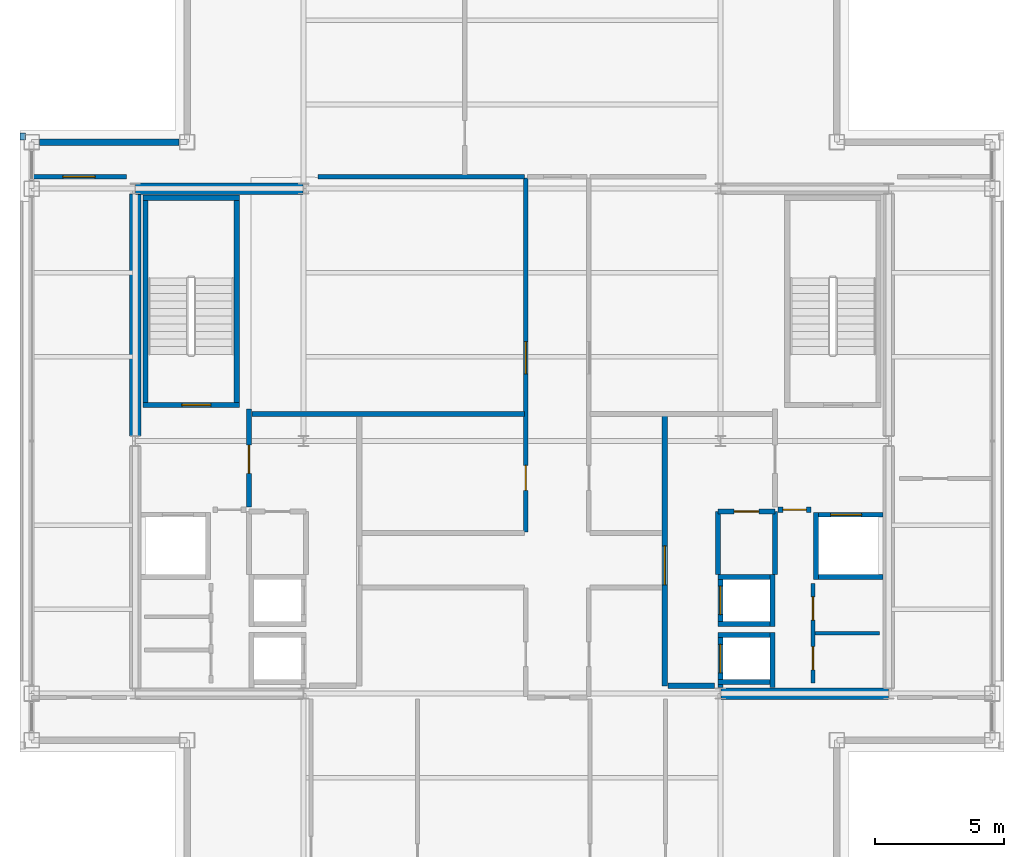
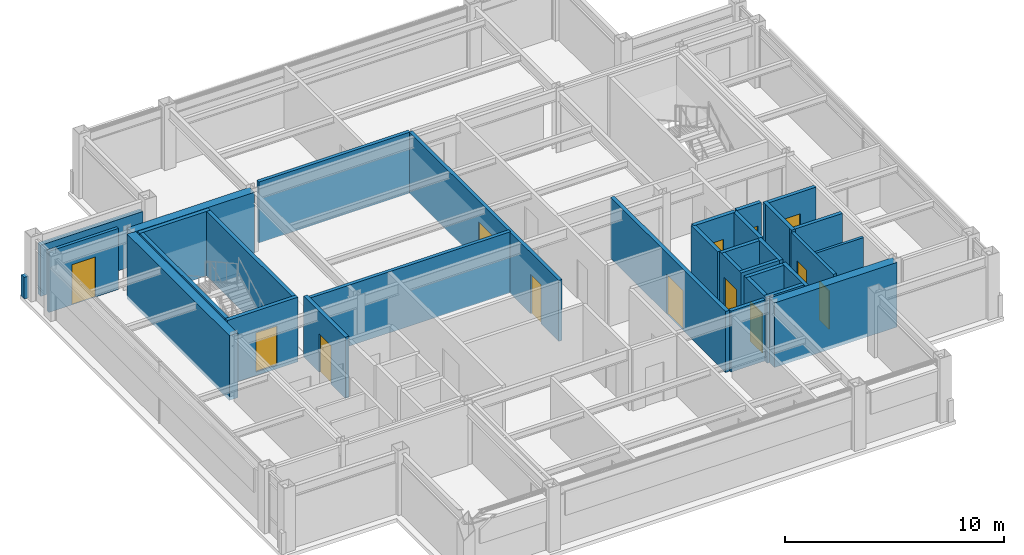
# One storey, part 18 of 20: 33 walls, 13 doors, 13 openings.
"""IFC4 building model written with IfcOpenShell, lengths in metres."""

from ifc_helpers import new_model, si_unit, direction, frame, frame_2d, origin, place, context, subcontext, project, spatial, rectangle, extrude, material, layer, layer_set, type_object, element, fill, save


model = new_model("IFC4")

# Units and contexts
model_context = context("Model", 3, precision=1e-05, world=origin(), true_north=direction((0.0, 1.0)))
body_context = subcontext(model_context, "Body", "Model", "MODEL_VIEW")
ifc_project = project(units=[si_unit("LENGTHUNIT", "METRE"), si_unit("AREAUNIT", "SQUARE_METRE"), si_unit("VOLUMEUNIT", "CUBIC_METRE"), si_unit("PLANEANGLEUNIT", "RADIAN"), si_unit("MASSUNIT", "GRAM", prefix="KILO")], contexts=[model_context])

# Site, building, storey
site_placement = place(None, origin())
site = spatial("IfcSite", under=ifc_project, at=site_placement, CompositionType="ELEMENT")
building_placement = place(site_placement, origin())
building = spatial("IfcBuilding", under=site, at=building_placement, Name="Brelmoor Portico Tower", CompositionType="ELEMENT")
storey_placement = place(building_placement, frame((0.0, 0.0, 272.39990234375)))
storey = spatial("IfcBuildingStorey", under=building, at=storey_placement, Name="L72", CompositionType="ELEMENT", Elevation=272.39990234375)

# Walls
ifc_material_1 = material(Name="Concrete C50", Category="concrete")
ifc_layer_1 = layer(ifc_material_1, 0.449951171875)
ifc_layer_set_1 = layer_set([ifc_layer_1], Name="Concrete C50")
wall_type_1 = type_object("IfcWallType", Name="WL-CORE-450", PredefinedType="SHEAR", material=ifc_layer_set_1)
wall_1_placement = place(storey_placement, frame((-14.530029296875, 9.75, -0.199951171875), z_axis=(0.0, 0.0, 1.0), x_axis=(1.0, 0.0, 0.0)))
element("IfcWall", 1, at=wall_1_placement, inside=storey, type_object=wall_type_1, Name="L72 WC North Shear Wall", PredefinedType="SHEAR", context=body_context, shape_type="SweptSolid", body=[
    extrude(rectangle(XDim=6.4599609375, YDim=0.449951171875, at=frame_2d((3.22998046875, 0.0))), origin(), (0.0, 0.0, 1.0), 3.60009765625),
])
wall_2_placement = place(storey_placement, frame((-14.550048828125, 0.199951171875, -0.199951171875), z_axis=(0.0, 0.0, 1.0), x_axis=(0.0, 1.0, 0.0)))
element("IfcWall", 2, at=wall_2_placement, inside=storey, type_object=wall_type_1, Name="L72 WC Outer North Shear Wall", PredefinedType="SHEAR", context=body_context, shape_type="SweptSolid", body=[
    extrude(rectangle(XDim=9.35009765625, YDim=0.449951171875, at=frame_2d((4.675048828125, 0.0))), origin(), (0.0, 0.0, 1.0), 3.60009765625),
])
wall_3_placement = place(storey_placement, frame((8.070068359375, -9.75, -0.199951171875), z_axis=(0.0, 0.0, 1.0), x_axis=(1.0, 0.0, 0.0)))
element("IfcWall", 3, at=wall_3_placement, inside=storey, type_object=wall_type_1, Name="L72 EC South Shear Wall", PredefinedType="SHEAR", context=body_context, shape_type="SweptSolid", body=[
    extrude(rectangle(XDim=6.4599609375, YDim=0.449951171875, at=frame_2d((3.22998046875, 0.0))), origin(), (0.0, 0.0, 1.0), 3.60009765625),
])
ifc_material_2 = material(Name="Precast Concrete C40 Insulated Facade Wall", Category="concrete")
ifc_layer_2 = layer(ifc_material_2, 0.25)
ifc_layer_set_2 = layer_set([ifc_layer_2], Name="Precast Concrete C40 Insulated Facade Wall")
wall_type_2 = type_object("IfcWallType", Name="WL-EXT-250", PredefinedType="STANDARD", material=ifc_layer_set_2)
wall_4_placement = place(storey_placement, frame((-18.239990234375, 11.550048828125, 0.0), z_axis=(0.0, 0.0, 1.0), x_axis=(1.0, 0.0, 0.0)))
element("IfcWall", 4, at=wall_4_placement, inside=storey, type_object=wall_type_2, Name="L72 Corner Notch Facade Wall NNWH1", PredefinedType="STANDARD", context=body_context, shape_type="SweptSolid", body=[
    extrude(rectangle(XDim=5.3798828125, YDim=0.25, at=frame_2d((2.68994140625, 0.0))), origin(), (0.0, 0.0, 1.0), 2.85009765625),
])
ifc_material_3 = material(Name="Concrete C40 Parapet Upstand", Category="concrete")
ifc_layer_3 = layer(ifc_material_3, 0.219970703125)
ifc_layer_set_3 = layer_set([ifc_layer_3], Name="Concrete C40 Parapet Upstand")
wall_type_3 = type_object("IfcWallType", Name="WL-PARAPET-220", PredefinedType="PARAPET", material=ifc_layer_set_3)
wall_5_placement = place(storey_placement, frame((-18.889892578125, 11.6201171875, 0.0), z_axis=(0.0, 0.0, 1.0), x_axis=(0.0, 1.0, 0.0)))
element("IfcWall", 5, at=wall_5_placement, inside=storey, type_object=wall_type_3, Name="L72 Chamfer Vertex Parapet Pier NW2", PredefinedType="PARAPET", context=body_context, shape_type="SweptSolid", body=[
    extrude(rectangle(XDim=0.269775390625, YDim=0.219970703125, at=frame_2d((0.134765625, 0.0))), origin(), (0.0, 0.0, 1.0), 1.2001953125),
])
ifc_material_4 = material(Name="Insulated Stud Suite Partition", Category="gypsum")
ifc_layer_4 = layer(ifc_material_4, 0.139892578125)
ifc_layer_set_4 = layer_set([ifc_layer_4], Name="Insulated Stud Suite Partition")
wall_type_4 = type_object("IfcWallType", Name="WL-PART-140", PredefinedType="PARTITIONING", material=ifc_layer_set_4)
wall_6_placement = place(storey_placement, frame((11.699951171875, -7.425048828125, 0.0), z_axis=(0.0, 0.0, 1.0), x_axis=(1.0, 0.0, 0.0)))
element("IfcWall", 6, at=wall_6_placement, inside=storey, type_object=wall_type_4, Name="L72 E Core WC Divider 1", PredefinedType="PARTITIONING", context=body_context, shape_type="SweptSolid", body=[
    extrude(rectangle(XDim=2.5, YDim=0.139892578125, at=frame_2d((1.25, 0.0))), origin(), (0.0, 0.0, 1.0), 3.400146484375),
])

# Wall, openings, doors
ifc_material_5 = material(Name="Twin-Frame Acoustic Partition", Category="gypsum")
ifc_layer_5 = layer(ifc_material_5, 0.159912109375)
ifc_layer_set_5 = layer_set([ifc_layer_5], Name="Twin-Frame Acoustic Partition")
wall_type_5 = type_object("IfcWallType", Name="WL-PART-160", PredefinedType="PARTITIONING", material=ifc_layer_set_5)
wall_7_placement = place(storey_placement, frame((11.6201171875, -9.35009765625, 0.0), z_axis=(0.0, 0.0, 1.0), x_axis=(0.0, 1.0, 0.0)))
wall_7 = element("IfcWall", 7, at=wall_7_placement, inside=storey, type_object=wall_type_5, Name="L72 E Core Service Front Wall", PredefinedType="PARTITIONING", context=body_context, shape_type="SweptSolid", body=[
    extrude(rectangle(XDim=3.85009765625, YDim=0.159912109375, at=frame_2d((1.925048828125, 0.0))), origin(), (0.0, 0.0, 1.0), 3.400146484375),
])
opening_1_placement = place(wall_7_placement, frame((0.512451171875, 0.0, 0.0)))
opening_1 = element("IfcOpeningElement", 8, at=opening_1_placement, cuts=wall_7, Name="Opening D-IN1", PredefinedType="OPENING", context=body_context, shape_type="SweptSolid", body=[
    extrude(rectangle(XDim=0.89990234375, YDim=2.14990234375, at=frame_2d((0.449951171875, 1.074951171875))), frame((0.0, 0.08984375, 0.0), z_axis=(0.0, -1.0, 0.0), x_axis=(1.0, 0.0, 0.0)), (0.0, 0.0, 1.0), 0.179931640625),
])
opening_2_placement = place(wall_7_placement, frame((2.4375, 0.0, 0.0)))
opening_2 = element("IfcOpeningElement", 9, at=opening_2_placement, cuts=wall_7, Name="Opening D-IN1", PredefinedType="OPENING", context=body_context, shape_type="SweptSolid", body=[
    extrude(rectangle(XDim=0.89990234375, YDim=2.14990234375, at=frame_2d((0.449951171875, 1.074951171875))), frame((0.0, 0.08984375, 0.0), z_axis=(0.0, -1.0, 0.0), x_axis=(1.0, 0.0, 0.0)), (0.0, 0.0, 1.0), 0.179931640625),
])
ifc_material_6 = material(Name="Lacquered Timber Suite Door", Category="wood")
door_type_1 = type_object("IfcDoorType", Name="DR-INT-900", OperationType="NOTDEFINED", PredefinedType="DOOR", material=ifc_material_6)
door_1_placement = place(opening_1_placement, origin())
door_1 = element("IfcDoor", 10, at=door_1_placement, inside=storey, type_object=door_type_1, Name="D-2944 L72 E Male WC Door", OperationType="SINGLE_SWING_RIGHT", OverallHeight=2.14990234375, OverallWidth=0.89990234375, PredefinedType="DOOR", context=body_context, shape_type="SweptSolid", body=[
    extrude(rectangle(XDim=0.89990234375, YDim=2.14990234375, at=frame_2d((0.449951171875, 1.074951171875))), frame((0.0, 0.02490234375, 0.0), z_axis=(0.0, -1.0, 0.0), x_axis=(1.0, 0.0, 0.0)), (0.0, 0.0, 1.0), 0.050048828125),
])
fill(opening_1, door_1)
door_2_placement = place(opening_2_placement, origin())
door_2 = element("IfcDoor", 11, at=door_2_placement, inside=storey, type_object=door_type_1, Name="D-2945 L72 E Female WC Door", OperationType="SINGLE_SWING_LEFT", OverallHeight=2.14990234375, OverallWidth=0.89990234375, PredefinedType="DOOR", context=body_context, shape_type="SweptSolid", body=[
    extrude(rectangle(XDim=0.89990234375, YDim=2.14990234375, at=frame_2d((0.449951171875, 1.074951171875))), frame((0.0, 0.02490234375, 0.0), z_axis=(0.0, -1.0, 0.0), x_axis=(1.0, 0.0, 0.0)), (0.0, 0.0, 1.0), 0.050048828125),
])
fill(opening_2, door_2)

# Wall, opening, door
wall_8_placement = place(storey_placement, frame((-18.56005859375, 10.2099609375, 0.0), z_axis=(0.0, 0.0, 1.0), x_axis=(1.0, 0.0, 0.0)))
wall_8 = element("IfcWall", 12, at=wall_8_placement, inside=storey, type_object=wall_type_5, Name="L72 North Wing Suite Wall WL", PredefinedType="PARTITIONING", context=body_context, shape_type="SweptSolid", body=[
    extrude(rectangle(XDim=3.68017578125, YDim=0.159912109375, at=frame_2d((1.840087890625, 0.0))), origin(), (0.0, 0.0, 1.0), 3.400146484375),
])
opening_3_placement = place(wall_8_placement, frame((1.219970703125, 0.0, 0.0)))
opening_3 = element("IfcOpeningElement", 13, at=opening_3_placement, cuts=wall_8, Name="Opening D-SU1", PredefinedType="OPENING", context=body_context, shape_type="SweptSolid", body=[
    extrude(rectangle(XDim=1.239990234375, YDim=2.239990234375, at=frame_2d((0.6201171875, 1.1201171875))), frame((0.0, 0.08984375, 0.0), z_axis=(0.0, -1.0, 0.0), x_axis=(1.0, 0.0, 0.0)), (0.0, 0.0, 1.0), 0.179931640625),
])
ifc_material_7 = material(Name="Glazed Timber Executive Suite Door", Category="wood")
door_type_2 = type_object("IfcDoorType", Name="DR-SUITE-1200", OperationType="NOTDEFINED", PredefinedType="DOOR", material=ifc_material_7)
door_3_placement = place(opening_3_placement, origin())
door_3 = element("IfcDoor", 14, at=door_3_placement, inside=storey, type_object=door_type_2, Name="D-2960 L72 WL Wing Suite Connecting Door", OperationType="SINGLE_SWING_RIGHT", OverallHeight=2.239990234375, OverallWidth=1.239990234375, PredefinedType="DOOR", context=body_context, shape_type="SweptSolid", body=[
    extrude(rectangle(XDim=1.239990234375, YDim=2.239990234375, at=frame_2d((0.6201171875, 1.1201171875))), frame((0.0, 0.02490234375, 0.0), z_axis=(0.0, -1.0, 0.0), x_axis=(1.0, 0.0, 0.0)), (0.0, 0.0, 1.0), 0.050048828125),
])
fill(opening_3, door_3)

# Wall
ifc_material_8 = material(Name="Acoustic Corridor Fire Partition", Category="gypsum")
ifc_layer_6 = layer(ifc_material_8, 0.179931640625)
ifc_layer_set_6 = layer_set([ifc_layer_6], Name="Acoustic Corridor Fire Partition")
wall_type_6 = type_object("IfcWallType", Name="WL-PART-180", PredefinedType="PARTITIONING", material=ifc_layer_set_6)
wall_9_placement = place(storey_placement, frame((-10.050048828125, 1.050048828125, 0.0), z_axis=(0.0, 0.0, 1.0), x_axis=(1.0, 0.0, 0.0)))
element("IfcWall", 15, at=wall_9_placement, inside=storey, type_object=wall_type_6, Name="L72 West Reclaimed Suite South Wall", PredefinedType="PARTITIONING", context=body_context, shape_type="SweptSolid", body=[
    extrude(rectangle(XDim=10.5400390625, YDim=0.179931640625, at=frame_2d((5.27001953125, 0.0))), origin(), (0.0, 0.0, 1.0), 3.400146484375),
])

# Wall, openings, doors
wall_10_placement = place(storey_placement, frame((0.530029296875, -3.5, 0.0), z_axis=(0.0, 0.0, 1.0), x_axis=(0.0, 1.0, 0.0)))
wall_10 = element("IfcWall", 16, at=wall_10_placement, inside=storey, type_object=wall_type_6, Name="L72 Central Cross West Wall", PredefinedType="PARTITIONING", context=body_context, shape_type="SweptSolid", body=[
    extrude(rectangle(XDim=13.669921875, YDim=0.179931640625, at=frame_2d((6.8349609375, 0.0))), origin(), (0.0, 0.0, 1.0), 3.400146484375),
])
opening_4_placement = place(wall_10_placement, frame((6.10009765625, 0.0, 0.0)))
opening_4 = element("IfcOpeningElement", 17, at=opening_4_placement, cuts=wall_10, Name="Opening D-SU1", PredefinedType="OPENING", context=body_context, shape_type="SweptSolid", body=[
    extrude(rectangle(XDim=1.239990234375, YDim=2.239990234375, at=frame_2d((0.6201171875, 1.1201171875))), frame((0.0, 0.099853515625, 0.0), z_axis=(0.0, -1.0, 0.0), x_axis=(1.0, 0.0, 0.0)), (0.0, 0.0, 1.0), 0.199951171875),
])
opening_5_placement = place(wall_10_placement, frame((1.60009765625, 0.0, 0.0)))
opening_5 = element("IfcOpeningElement", 18, at=opening_5_placement, cuts=wall_10, Name="Opening D-IN2", PredefinedType="OPENING", context=body_context, shape_type="SweptSolid", body=[
    extrude(rectangle(XDim=0.9599609375, YDim=2.179931640625, at=frame_2d((0.47998046875, 1.08984375))), frame((0.0, 0.099853515625, 0.0), z_axis=(0.0, -1.0, 0.0), x_axis=(1.0, 0.0, 0.0)), (0.0, 0.0, 1.0), 0.199951171875),
])
door_type_3 = type_object("IfcDoorType", Name="DR-INT-950", OperationType="NOTDEFINED", PredefinedType="DOOR", material=ifc_material_6)
door_4_placement = place(opening_5_placement, origin())
door_4 = element("IfcDoor", 19, at=door_4_placement, inside=storey, type_object=door_type_3, Name="D-2942 L72 Staff Pantry Door", OperationType="SINGLE_SWING_LEFT", OverallHeight=2.179931640625, OverallWidth=0.9599609375, PredefinedType="DOOR", context=body_context, shape_type="SweptSolid", body=[
    extrude(rectangle(XDim=0.9599609375, YDim=2.179931640625, at=frame_2d((0.47998046875, 1.08984375))), frame((0.0, 0.02490234375, 0.0), z_axis=(0.0, -1.0, 0.0), x_axis=(1.0, 0.0, 0.0)), (0.0, 0.0, 1.0), 0.050048828125),
])
fill(opening_5, door_4)
door_5_placement = place(opening_4_placement, origin())
door_5 = element("IfcDoor", 20, at=door_5_placement, inside=storey, type_object=door_type_2, Name="D-2943 L72 West Reclaimed Studio Door", OperationType="SINGLE_SWING_RIGHT", OverallHeight=2.239990234375, OverallWidth=1.239990234375, PredefinedType="DOOR", context=body_context, shape_type="SweptSolid", body=[
    extrude(rectangle(XDim=1.239990234375, YDim=2.239990234375, at=frame_2d((0.6201171875, 1.1201171875))), frame((0.0, 0.02490234375, 0.0), z_axis=(0.0, -1.0, 0.0), x_axis=(1.0, 0.0, 0.0)), (0.0, 0.0, 1.0), 0.050048828125),
])
fill(opening_4, door_5)

# Wall
wall_11_placement = place(storey_placement, frame((-7.5, 10.2099609375, 0.0), z_axis=(0.0, 0.0, 1.0), x_axis=(1.0, 0.0, 0.0)))
element("IfcWall", 21, at=wall_11_placement, inside=storey, type_object=wall_type_6, Name="L72 West Reclaimed Suite North Wall", PredefinedType="PARTITIONING", context=body_context, shape_type="SweptSolid", body=[
    extrude(rectangle(XDim=7.989990234375, YDim=0.179931640625, at=frame_2d((3.9951171875, 0.0))), origin(), (0.0, 0.0, 1.0), 3.400146484375),
])

# Wall, opening, door
ifc_material_9 = material(Name="Double-Stud Gypsum Fire Partition", Category="gypsum")
ifc_layer_7 = layer(ifc_material_9, 0.199951171875)
ifc_layer_set_7 = layer_set([ifc_layer_7], Name="Double-Stud Gypsum Fire Partition")
wall_type_7 = type_object("IfcWallType", Name="WL-PART-200", PredefinedType="PARTITIONING", material=ifc_layer_set_7)
wall_12_placement = place(storey_placement, frame((-10.159912109375, -2.550048828125, 0.0), z_axis=(0.0, 0.0, 1.0), x_axis=(0.0, 1.0, 0.0)))
wall_12 = element("IfcWall", 22, at=wall_12_placement, inside=storey, type_object=wall_type_7, Name="L72 W Firefighting Lobby Wall", PredefinedType="PARTITIONING", context=body_context, shape_type="SweptSolid", body=[
    extrude(rectangle(XDim=3.800048828125, YDim=0.199951171875, at=frame_2d((1.89990234375, 0.0))), origin(), (0.0, 0.0, 1.0), 3.400146484375),
])
opening_6_placement = place(wall_12_placement, frame((1.300048828125, 0.0, 0.0)))
opening_6 = element("IfcOpeningElement", 23, at=opening_6_placement, cuts=wall_12, Name="Opening D-FR1", PredefinedType="OPENING", context=body_context, shape_type="SweptSolid", body=[
    extrude(rectangle(XDim=1.10009765625, YDim=2.14990234375, at=frame_2d((0.550048828125, 1.074951171875))), frame((0.0, 0.10986328125, 0.0), z_axis=(0.0, -1.0, 0.0), x_axis=(1.0, 0.0, 0.0)), (0.0, 0.0, 1.0), 0.219970703125),
])
ifc_material_10 = material(Name="Painted Galvanised Steel Fire Door", Category="steel")
door_type_4 = type_object("IfcDoorType", Name="DR-FIRE-1100", OperationType="NOTDEFINED", PredefinedType="DOOR", material=ifc_material_10)
door_6_placement = place(opening_6_placement, origin())
door_6 = element("IfcDoor", 24, at=door_6_placement, inside=storey, type_object=door_type_4, Name="D-2954 L72 W Firefighting Lobby Door", OperationType="SINGLE_SWING_LEFT", OverallHeight=2.14990234375, OverallWidth=1.10009765625, PredefinedType="DOOR", context=body_context, shape_type="SweptSolid", body=[
    extrude(rectangle(XDim=1.10009765625, YDim=2.14990234375, at=frame_2d((0.550048828125, 1.074951171875))), frame((0.0, 0.02490234375, 0.0), z_axis=(0.0, -1.0, 0.0), x_axis=(1.0, 0.0, 0.0)), (0.0, 0.0, 1.0), 0.050048828125),
])
fill(opening_6, door_6)

wall_13_placement = place(storey_placement, frame((5.89990234375, -9.449951171875, 0.0), z_axis=(0.0, 0.0, 1.0), x_axis=(0.0, 1.0, 0.0)))
wall_13 = element("IfcWall", 25, at=wall_13_placement, inside=storey, type_object=wall_type_7, Name="L72 E Core Lobby Compartment Wall", PredefinedType="PARTITIONING", context=body_context, shape_type="SweptSolid", body=[
    extrude(rectangle(XDim=10.5, YDim=0.199951171875, at=frame_2d((5.25, 0.0))), origin(), (0.0, 0.0, 1.0), 3.400146484375),
])
opening_7_placement = place(wall_13_placement, frame((3.89990234375, 0.0, 0.0)))
opening_7 = element("IfcOpeningElement", 26, at=opening_7_placement, cuts=wall_13, Name="Opening D-LB1", PredefinedType="OPENING", context=body_context, shape_type="SweptSolid", body=[
    extrude(rectangle(XDim=1.5, YDim=2.199951171875, at=frame_2d((0.75, 1.10009765625))), frame((0.0, 0.10986328125, 0.0), z_axis=(0.0, -1.0, 0.0), x_axis=(1.0, 0.0, 0.0)), (0.0, 0.0, 1.0), 0.219970703125),
])
ifc_material_11 = material(Name="Double-Leaf Glazed Steel Fire Door", Category="steel")
door_type_5 = type_object("IfcDoorType", Name="DR-LOBBY-1500", OperationType="NOTDEFINED", PredefinedType="DOOR", material=ifc_material_11)
door_7_placement = place(opening_7_placement, origin())
door_7 = element("IfcDoor", 27, at=door_7_placement, inside=storey, type_object=door_type_5, Name="D-2955 L72 E Lift Lobby Main Door", OperationType="DOUBLE_DOOR_SINGLE_SWING", OverallHeight=2.199951171875, OverallWidth=1.5, PredefinedType="DOOR", context=body_context, shape_type="SweptSolid", body=[
    extrude(rectangle(XDim=1.5, YDim=2.199951171875, at=frame_2d((0.75, 1.10009765625))), frame((0.0, 0.02490234375, 0.0), z_axis=(0.0, -1.0, 0.0), x_axis=(1.0, 0.0, 0.0)), (0.0, 0.0, 1.0), 0.050048828125),
])
fill(opening_7, door_7)

# Wall
wall_14_placement = place(storey_placement, frame((6.02001953125, -9.449951171875, 0.0), z_axis=(0.0, 0.0, 1.0), x_axis=(1.0, 0.0, 0.0)))
element("IfcWall", 28, at=wall_14_placement, inside=storey, type_object=wall_type_7, Name="L72 E Lift Lobby South End Wall", PredefinedType="PARTITIONING", context=body_context, shape_type="SweptSolid", body=[
    extrude(rectangle(XDim=1.800048828125, YDim=0.199951171875, at=frame_2d((0.89990234375, 0.0))), origin(), (0.0, 0.0, 1.0), 3.400146484375),
])

# Wall, opening, door
wall_15_placement = place(storey_placement, frame((10.280029296875, -2.64990234375, 0.0), z_axis=(0.0, 0.0, 1.0), x_axis=(1.0, 0.0, 0.0)))
wall_15 = element("IfcWall", 29, at=wall_15_placement, inside=storey, type_object=wall_type_7, Name="L72 E Firefighting Lobby South Wall", PredefinedType="PARTITIONING", context=body_context, shape_type="SweptSolid", body=[
    extrude(rectangle(XDim=1.27001953125, YDim=0.199951171875, at=frame_2d((0.635009765625, 0.0))), origin(), (0.0, 0.0, 1.0), 3.400146484375),
])
opening_8_placement = place(wall_15_placement, frame((0.18505859375, 0.0, 0.0)))
opening_8 = element("IfcOpeningElement", 30, at=opening_8_placement, cuts=wall_15, Name="Opening D-IN1", PredefinedType="OPENING", context=body_context, shape_type="SweptSolid", body=[
    extrude(rectangle(XDim=0.89990234375, YDim=2.14990234375, at=frame_2d((0.449951171875, 1.074951171875))), frame((0.0, 0.10986328125, 0.0), z_axis=(0.0, -1.0, 0.0), x_axis=(1.0, 0.0, 0.0)), (0.0, 0.0, 1.0), 0.219970703125),
])
door_8_placement = place(opening_8_placement, origin())
door_8 = element("IfcDoor", 31, at=door_8_placement, inside=storey, type_object=door_type_1, Name="D-2946 L72 E Core Service Vestibule Door", OperationType="SINGLE_SWING_RIGHT", OverallHeight=2.14990234375, OverallWidth=0.89990234375, PredefinedType="DOOR", context=body_context, shape_type="SweptSolid", body=[
    extrude(rectangle(XDim=0.89990234375, YDim=2.14990234375, at=frame_2d((0.449951171875, 1.074951171875))), frame((0.0, 0.02490234375, 0.0), z_axis=(0.0, -1.0, 0.0), x_axis=(1.0, 0.0, 0.0)), (0.0, 0.0, 1.0), 0.050048828125),
])
fill(opening_8, door_8)

wall_16_placement = place(storey_placement, frame((7.9599609375, -2.719970703125, 0.0), z_axis=(0.0, 0.0, 1.0), x_axis=(1.0, 0.0, 0.0)))
wall_16 = element("IfcWall", 32, at=wall_16_placement, inside=storey, type_object=wall_type_7, Name="L72 E Electrical Switchgear Closet Wall", PredefinedType="PARTITIONING", context=body_context, shape_type="SweptSolid", body=[
    extrude(rectangle(XDim=2.199951171875, YDim=0.199951171875, at=frame_2d((1.10009765625, 0.0))), origin(), (0.0, 0.0, 1.0), 3.400146484375),
])
opening_9_placement = place(wall_16_placement, frame((0.6201171875, 0.0, 0.0)))
opening_9 = element("IfcOpeningElement", 33, at=opening_9_placement, cuts=wall_16, Name="Opening D-FR4", PredefinedType="OPENING", context=body_context, shape_type="SweptSolid", body=[
    extrude(rectangle(XDim=0.949951171875, YDim=2.10009765625, at=frame_2d((0.47509765625, 1.050048828125))), frame((0.0, 0.10986328125, 0.0), z_axis=(0.0, -1.0, 0.0), x_axis=(1.0, 0.0, 0.0)), (0.0, 0.0, 1.0), 0.219970703125),
])
ifc_material_12 = material(Name="Painted Galvanised Steel Riser Door", Category="steel")
door_type_6 = type_object("IfcDoorType", Name="DR-FIRE-950", OperationType="NOTDEFINED", PredefinedType="DOOR", material=ifc_material_12)
door_9_placement = place(opening_9_placement, origin())
door_9 = element("IfcDoor", 34, at=door_9_placement, inside=storey, type_object=door_type_6, Name="D-2951 L72 E Electrical Switchgear Closet Door", OperationType="SINGLE_SWING_LEFT", OverallHeight=2.10009765625, OverallWidth=0.949951171875, PredefinedType="DOOR", context=body_context, shape_type="SweptSolid", body=[
    extrude(rectangle(XDim=0.949951171875, YDim=2.10009765625, at=frame_2d((0.47509765625, 1.050048828125))), frame((0.0, 0.02490234375, 0.0), z_axis=(0.0, -1.0, 0.0), x_axis=(1.0, 0.0, 0.0)), (0.0, 0.0, 1.0), 0.050048828125),
])
fill(opening_9, door_9)

# Walls
for number, where, z_axis, x_axis, name in (
    (35, (7.9599609375, -5.159912109375, 0.0), (0.0, 0.0, 1.0), (0.0, 1.0, 0.0), "L72 E Electrical Switchgear Closet Inner Wall"),
    (36, (10.159912109375, -5.159912109375, 0.0), (0.0, 0.0, 1.0), (0.0, 1.0, 0.0), "L72 E Electrical Switchgear Closet Outer Wall"),
):
    element("IfcWall", number, at=place(storey_placement, frame(where, z_axis=z_axis, x_axis=x_axis)), inside=storey, type_object=wall_type_7, Name=name, PredefinedType="PARTITIONING", context=body_context, shape_type="SweptSolid", body=[
        extrude(rectangle(XDim=2.43994140625, YDim=0.199951171875, at=frame_2d((1.219970703125, 0.0))), origin(), (0.0, 0.0, 1.0), 3.400146484375),
    ])

# Wall, opening, door
ifc_material_13 = material(Name="Precast Concrete C40", Category="concrete")
ifc_layer_8 = layer(ifc_material_13, 0.18994140625)
ifc_layer_set_8 = layer_set([ifc_layer_8], Name="Precast Concrete C40")
wall_type_8 = type_object("IfcWallType", Name="WL-SHAFT-180", PredefinedType="SOLIDWALL", material=ifc_layer_set_8)
wall_17_placement = place(storey_placement, frame((8.044921875, -9.52001953125, -0.199951171875), z_axis=(0.0, 0.0, 1.0), x_axis=(0.0, 1.0, 0.0)))
wall_17 = element("IfcWall", 37, at=wall_17_placement, inside=storey, type_object=wall_type_8, Name="L72 Lift PH3 Hoistway Front Wall", PredefinedType="SOLIDWALL", context=body_context, shape_type="SweptSolid", body=[
    extrude(rectangle(XDim=2.1201171875, YDim=0.18994140625, at=frame_2d((1.06005859375, 0.0))), origin(), (0.0, 0.0, 1.0), 3.60009765625),
])
opening_10_placement = place(wall_17_placement, frame((0.570068359375, 0.0, 0.199951171875)))
opening_10 = element("IfcOpeningElement", 38, at=opening_10_placement, cuts=wall_17, Name="Opening LD-01", PredefinedType="OPENING", context=body_context, shape_type="SweptSolid", body=[
    extrude(rectangle(XDim=1.10009765625, YDim=2.199951171875, at=frame_2d((0.550048828125, 1.10009765625))), frame((0.0, 0.10498046875, 0.0), z_axis=(0.0, -1.0, 0.0), x_axis=(1.0, 0.0, 0.0)), (0.0, 0.0, 1.0), 0.2099609375),
])
ifc_material_14 = material(Name="Brushed Stainless Steel Sliding Lift Door", Category="steel")
door_type_7 = type_object("IfcDoorType", Name="DR-LIFT-1100", OperationType="NOTDEFINED", PredefinedType="DOOR", material=ifc_material_14)
door_10_placement = place(opening_10_placement, origin())
door_10 = element("IfcDoor", 39, at=door_10_placement, inside=storey, type_object=door_type_7, Name="D-2975 L72 Lift PH3 Sliding Landing Door", OperationType="SLIDING_TO_LEFT", OverallHeight=2.199951171875, OverallWidth=1.10009765625, PredefinedType="DOOR", context=body_context, shape_type="SweptSolid", body=[
    extrude(rectangle(XDim=1.10009765625, YDim=2.199951171875, at=frame_2d((0.550048828125, 1.10009765625))), frame((0.0, 0.02490234375, 0.0), z_axis=(0.0, -1.0, 0.0), x_axis=(1.0, 0.0, 0.0)), (0.0, 0.0, 1.0), 0.050048828125),
])
fill(opening_10, door_10)

# Walls
wall_18_placement = place(storey_placement, frame((10.054931640625, -9.52001953125, -0.199951171875), z_axis=(0.0, 0.0, 1.0), x_axis=(0.0, 1.0, 0.0)))
element("IfcWall", 40, at=wall_18_placement, inside=storey, type_object=wall_type_8, Name="L72 Lift PH3 Hoistway Back Wall", PredefinedType="SOLIDWALL", context=body_context, shape_type="SweptSolid", body=[
    extrude(rectangle(XDim=2.1201171875, YDim=0.18994140625, at=frame_2d((1.06005859375, 0.0))), origin(), (0.0, 0.0, 1.0), 3.60009765625),
])
for number, where, z_axis, x_axis, name in (
    (41, (7.949951171875, -7.4951171875, -0.199951171875), (0.0, 0.0, 1.0), (1.0, 0.0, 0.0), "L72 Lift PH3 Hoistway North Wall"),
    (42, (7.949951171875, -9.304931640625, -0.199951171875), (0.0, 0.0, 1.0), (1.0, 0.0, 0.0), "L72 Lift PH3 Hoistway South Wall"),
):
    element("IfcWall", number, at=place(storey_placement, frame(where, z_axis=z_axis, x_axis=x_axis)), inside=storey, type_object=wall_type_8, Name=name, PredefinedType="SOLIDWALL", context=body_context, shape_type="SweptSolid", body=[
        extrude(rectangle(XDim=2.199951171875, YDim=0.18994140625, at=frame_2d((1.10009765625, 0.0))), origin(), (0.0, 0.0, 1.0), 3.60009765625),
    ])

# Wall, opening, door
wall_19_placement = place(storey_placement, frame((8.044921875, -7.14990234375, -0.199951171875), z_axis=(0.0, 0.0, 1.0), x_axis=(0.0, 1.0, 0.0)))
wall_19 = element("IfcWall", 43, at=wall_19_placement, inside=storey, type_object=wall_type_8, Name="L72 Lift PH4 Hoistway Front Wall", PredefinedType="SOLIDWALL", context=body_context, shape_type="SweptSolid", body=[
    extrude(rectangle(XDim=2.0, YDim=0.18994140625, at=frame_2d((1.0, 0.0))), origin(), (0.0, 0.0, 1.0), 3.60009765625),
])
opening_11_placement = place(wall_19_placement, frame((0.449951171875, 0.0, 0.199951171875)))
opening_11 = element("IfcOpeningElement", 44, at=opening_11_placement, cuts=wall_19, Name="Opening LD-01", PredefinedType="OPENING", context=body_context, shape_type="SweptSolid", body=[
    extrude(rectangle(XDim=1.10009765625, YDim=2.199951171875, at=frame_2d((0.550048828125, 1.10009765625))), frame((0.0, 0.10498046875, 0.0), z_axis=(0.0, -1.0, 0.0), x_axis=(1.0, 0.0, 0.0)), (0.0, 0.0, 1.0), 0.2099609375),
])
door_11_placement = place(opening_11_placement, origin())
door_11 = element("IfcDoor", 45, at=door_11_placement, inside=storey, type_object=door_type_7, Name="D-2976 L72 Lift PH4 Sliding Landing Door", OperationType="SLIDING_TO_LEFT", OverallHeight=2.199951171875, OverallWidth=1.10009765625, PredefinedType="DOOR", context=body_context, shape_type="SweptSolid", body=[
    extrude(rectangle(XDim=1.10009765625, YDim=2.199951171875, at=frame_2d((0.550048828125, 1.10009765625))), frame((0.0, 0.02490234375, 0.0), z_axis=(0.0, -1.0, 0.0), x_axis=(1.0, 0.0, 0.0)), (0.0, 0.0, 1.0), 0.050048828125),
])
fill(opening_11, door_11)

# Walls
wall_20_placement = place(storey_placement, frame((10.054931640625, -7.14990234375, -0.199951171875), z_axis=(0.0, 0.0, 1.0), x_axis=(0.0, 1.0, 0.0)))
element("IfcWall", 46, at=wall_20_placement, inside=storey, type_object=wall_type_8, Name="L72 Lift PH4 Hoistway Back Wall", PredefinedType="SOLIDWALL", context=body_context, shape_type="SweptSolid", body=[
    extrude(rectangle(XDim=2.0, YDim=0.18994140625, at=frame_2d((1.0, 0.0))), origin(), (0.0, 0.0, 1.0), 3.60009765625),
])
for number, where, z_axis, x_axis, name in (
    (47, (7.949951171875, -5.2451171875, -0.199951171875), (0.0, 0.0, 1.0), (1.0, 0.0, 0.0), "L72 Lift PH4 Hoistway North Wall"),
    (48, (7.949951171875, -7.054931640625, -0.199951171875), (0.0, 0.0, 1.0), (1.0, 0.0, 0.0), "L72 Lift PH4 Hoistway South Wall"),
):
    element("IfcWall", number, at=place(storey_placement, frame(where, z_axis=z_axis, x_axis=x_axis)), inside=storey, type_object=wall_type_8, Name=name, PredefinedType="SOLIDWALL", context=body_context, shape_type="SweptSolid", body=[
        extrude(rectangle(XDim=2.199951171875, YDim=0.18994140625, at=frame_2d((1.10009765625, 0.0))), origin(), (0.0, 0.0, 1.0), 3.60009765625),
    ])

# Wall, opening, door
wall_21_placement = place(storey_placement, frame((11.64990234375, -2.844970703125, -0.199951171875), z_axis=(0.0, 0.0, 1.0), x_axis=(1.0, 0.0, 0.0)))
wall_21 = element("IfcWall", 49, at=wall_21_placement, inside=storey, type_object=wall_type_8, Name="L72 Lift FF2 Hoistway Front Wall", PredefinedType="SOLIDWALL", context=body_context, shape_type="SweptSolid", body=[
    extrude(rectangle(XDim=2.68017578125, YDim=0.18994140625, at=frame_2d((1.340087890625, 0.0))), origin(), (0.0, 0.0, 1.0), 3.60009765625),
])
opening_12_placement = place(wall_21_placement, frame((0.64990234375, 0.0, 0.199951171875)))
opening_12 = element("IfcOpeningElement", 50, at=opening_12_placement, cuts=wall_21, Name="Opening LD-02", PredefinedType="OPENING", context=body_context, shape_type="SweptSolid", body=[
    extrude(rectangle(XDim=1.199951171875, YDim=2.199951171875, at=frame_2d((0.60009765625, 1.10009765625))), frame((0.0, 0.10498046875, 0.0), z_axis=(0.0, -1.0, 0.0), x_axis=(1.0, 0.0, 0.0)), (0.0, 0.0, 1.0), 0.2099609375),
])
ifc_material_15 = material(Name="Brushed Stainless Steel Firefighting Lift Door", Category="steel")
door_type_8 = type_object("IfcDoorType", Name="DR-LIFT-1200", OperationType="NOTDEFINED", PredefinedType="DOOR", material=ifc_material_15)
door_12_placement = place(opening_12_placement, origin())
door_12 = element("IfcDoor", 51, at=door_12_placement, inside=storey, type_object=door_type_8, Name="D-2972 L72 Lift FF2 Sliding Landing Door", OperationType="SLIDING_TO_LEFT", OverallHeight=2.199951171875, OverallWidth=1.199951171875, PredefinedType="DOOR", context=body_context, shape_type="SweptSolid", body=[
    extrude(rectangle(XDim=1.199951171875, YDim=2.199951171875, at=frame_2d((0.60009765625, 1.10009765625))), frame((0.0, 0.02490234375, 0.0), z_axis=(0.0, -1.0, 0.0), x_axis=(1.0, 0.0, 0.0)), (0.0, 0.0, 1.0), 0.050048828125),
])
fill(opening_12, door_12)

# Walls
wall_22_placement = place(storey_placement, frame((11.64990234375, -5.2548828125, -0.199951171875), z_axis=(0.0, 0.0, 1.0), x_axis=(1.0, 0.0, 0.0)))
element("IfcWall", 52, at=wall_22_placement, inside=storey, type_object=wall_type_8, Name="L72 Firefighting Lift FF2 South Wall", PredefinedType="SOLIDWALL", context=body_context, shape_type="SweptSolid", body=[
    extrude(rectangle(XDim=2.68017578125, YDim=0.18994140625, at=frame_2d((1.340087890625, 0.0))), origin(), (0.0, 0.0, 1.0), 3.60009765625),
])
wall_23_placement = place(storey_placement, frame((11.7451171875, -5.35009765625, -0.199951171875), z_axis=(0.0, 0.0, 1.0), x_axis=(0.0, 1.0, 0.0)))
element("IfcWall", 53, at=wall_23_placement, inside=storey, type_object=wall_type_8, Name="L72 Firefighting Lift FF2 Inner Wall", PredefinedType="SOLIDWALL", context=body_context, shape_type="SweptSolid", body=[
    extrude(rectangle(XDim=2.60009765625, YDim=0.18994140625, at=frame_2d((1.300048828125, 0.0))), origin(), (0.0, 0.0, 1.0), 3.60009765625),
])
ifc_material_16 = material(Name="Concrete C40", Category="concrete")
ifc_layer_9 = layer(ifc_material_16, 0.199951171875)
ifc_layer_set_9 = layer_set([ifc_layer_9], Name="Concrete C40")
wall_type_9 = type_object("IfcWallType", Name="WL-SHAFT-RC200", PredefinedType="SOLIDWALL", material=ifc_layer_set_9)
wall_24_placement = place(storey_placement, frame((-14.14990234375, 1.5, -0.199951171875), z_axis=(0.0, 0.0, 1.0), x_axis=(0.0, 1.0, 0.0)))
element("IfcWall", 54, at=wall_24_placement, inside=storey, type_object=wall_type_9, Name="L72 ST-W Structural Stair Wall Outer", PredefinedType="SOLIDWALL", context=body_context, shape_type="SweptSolid", body=[
    extrude(rectangle(XDim=7.800048828125, YDim=0.199951171875, at=frame_2d((3.89990234375, 0.0))), origin(), (0.0, 0.0, 1.0), 3.60009765625),
])

# Wall, opening, door
wall_25_placement = place(storey_placement, frame((-14.25, 1.39990234375, -0.199951171875), z_axis=(0.0, 0.0, 1.0), x_axis=(1.0, 0.0, 0.0)))
wall_25 = element("IfcWall", 55, at=wall_25_placement, inside=storey, type_object=wall_type_9, Name="L72 ST-W Structural Stair Wall S", PredefinedType="SOLIDWALL", context=body_context, shape_type="SweptSolid", body=[
    extrude(rectangle(XDim=3.719970703125, YDim=0.199951171875, at=frame_2d((1.85986328125, 0.0))), origin(), (0.0, 0.0, 1.0), 3.60009765625),
])
opening_13_placement = place(wall_25_placement, frame((1.5, 0.0, 0.199951171875)))
opening_13 = element("IfcOpeningElement", 56, at=opening_13_placement, cuts=wall_25, Name="Opening D-ST1", PredefinedType="OPENING", context=body_context, shape_type="SweptSolid", body=[
    extrude(rectangle(XDim=1.1201171875, YDim=2.179931640625, at=frame_2d((0.56005859375, 1.08984375))), frame((0.0, 0.10986328125, 0.0), z_axis=(0.0, -1.0, 0.0), x_axis=(1.0, 0.0, 0.0)), (0.0, 0.0, 1.0), 0.219970703125),
])
door_type_9 = type_object("IfcDoorType", Name="DR-STAIR-1100", OperationType="NOTDEFINED", PredefinedType="DOOR", material=ifc_material_10)
door_13_placement = place(opening_13_placement, origin())
door_13 = element("IfcDoor", 57, at=door_13_placement, inside=storey, type_object=door_type_9, Name="D-2967 L72 ST-W Protected Exit Stair Door", OperationType="SINGLE_SWING_LEFT", OverallHeight=2.179931640625, OverallWidth=1.1201171875, PredefinedType="DOOR", context=body_context, shape_type="SweptSolid", body=[
    extrude(rectangle(XDim=1.1201171875, YDim=2.179931640625, at=frame_2d((0.56005859375, 1.08984375))), frame((0.0, 0.02490234375, 0.0), z_axis=(0.0, -1.0, 0.0), x_axis=(1.0, 0.0, 0.0)), (0.0, 0.0, 1.0), 0.050048828125),
])
fill(opening_13, door_13)

# Walls
wall_26_placement = place(storey_placement, frame((-14.25, 9.39990234375, -0.199951171875), z_axis=(0.0, 0.0, 1.0), x_axis=(1.0, 0.0, 0.0)))
element("IfcWall", 58, at=wall_26_placement, inside=storey, type_object=wall_type_9, Name="L72 ST-W Structural Stair Wall N", PredefinedType="SOLIDWALL", context=body_context, shape_type="SweptSolid", body=[
    extrude(rectangle(XDim=3.719970703125, YDim=0.199951171875, at=frame_2d((1.85986328125, 0.0))), origin(), (0.0, 0.0, 1.0), 3.60009765625),
])
wall_27_placement = place(storey_placement, frame((-10.6298828125, 1.5, -0.199951171875), z_axis=(0.0, 0.0, 1.0), x_axis=(0.0, 1.0, 0.0)))
element("IfcWall", 59, at=wall_27_placement, inside=storey, type_object=wall_type_9, Name="L72 ST-W Structural Stair Wall Inner", PredefinedType="SOLIDWALL", context=body_context, shape_type="SweptSolid", body=[
    extrude(rectangle(XDim=7.800048828125, YDim=0.199951171875, at=frame_2d((3.89990234375, 0.0))), origin(), (0.0, 0.0, 1.0), 3.60009765625),
])

save(model, "model.ifc")
